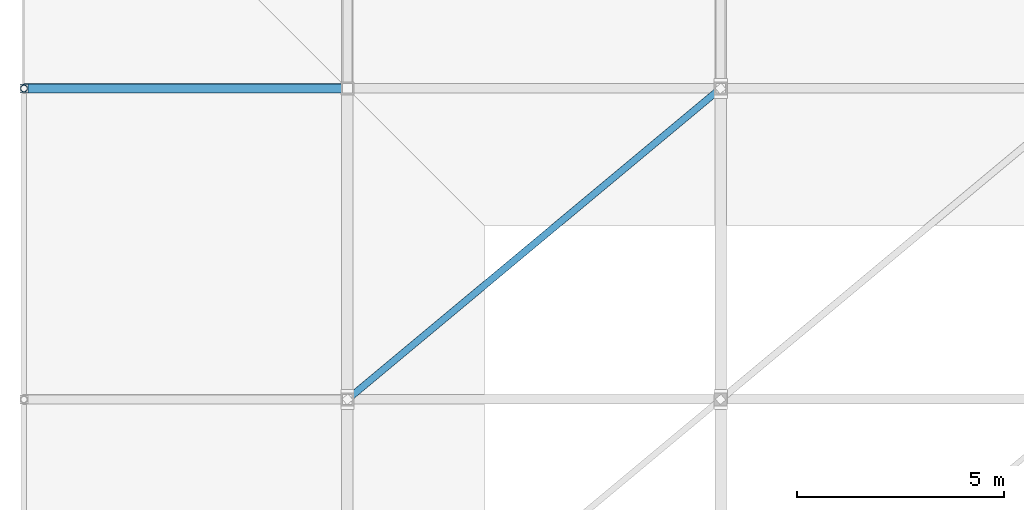
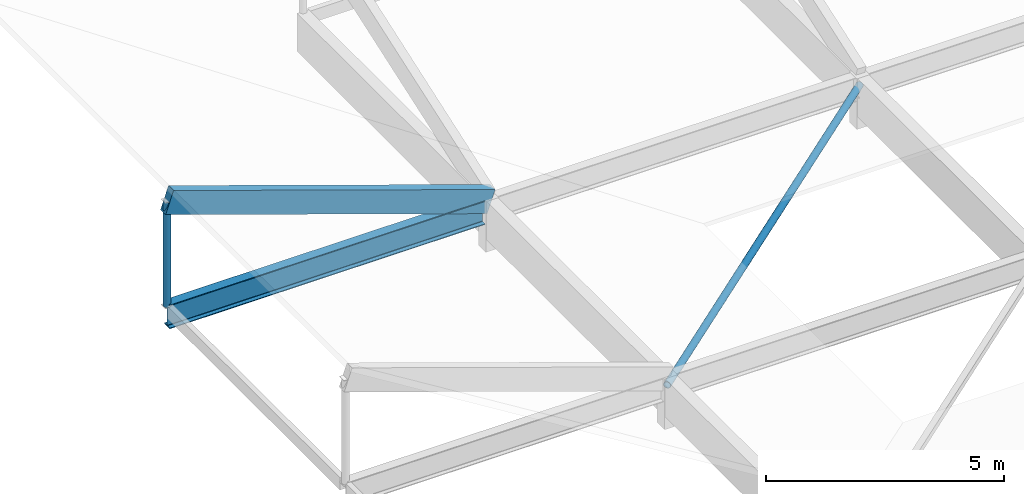
# One storey, part 7 of 19: 3 members, 1 beam.
"""IFC4 building model written with IfcOpenShell, lengths in metres."""

from ifc_helpers import new_model, si_unit, direction, frame, origin, origin_2d, place, context, subcontext, project, spatial, rectangle, hollow_circle, i_section, extrude, material, material_profile, profile_set, type_object, element, save


model = new_model("IFC4")

# Units and contexts
model_context = context("Model", 3, precision=1e-05, world=origin(), true_north=direction((0.0, 1.0)))
body_context = subcontext(model_context, "Body", "Model", "MODEL_VIEW")
ifc_project = project(units=[si_unit("LENGTHUNIT", "METRE"), si_unit("AREAUNIT", "SQUARE_METRE"), si_unit("VOLUMEUNIT", "CUBIC_METRE"), si_unit("PLANEANGLEUNIT", "RADIAN"), si_unit("MASSUNIT", "GRAM", prefix="KILO")], contexts=[model_context])

# Site, building, storey
site_placement = place(None, origin())
site = spatial("IfcSite", under=ifc_project, at=site_placement, CompositionType="ELEMENT")
building_placement = place(site_placement, origin())
building = spatial("IfcBuilding", under=site, at=building_placement, Name="Marnridge Secondary College", CompositionType="ELEMENT")
storey_placement = place(building_placement, frame((0.0, 0.0, 23.699951171875)))
storey = spatial("IfcBuildingStorey", under=building, at=storey_placement, Name="Roof Level", CompositionType="ELEMENT", Elevation=23.699951171875)

# Beam
ifc_material_1 = material(Name="Structural steel Grade 350 (AS/NZS 3679.1/.2, fy = 340-360 MPa)", Category="steel")
ifc_material_profile_1 = material_profile(ifc_material_1, i_section(OverallWidth=0.22900390625, OverallDepth=0.611572265625, WebThickness=0.011962890625, FlangeThickness=0.01953125, FilletRadius=0.013916015625, at=origin_2d()), Name="610UB125")
ifc_profile_set_1 = profile_set([ifc_material_profile_1], Name="Structural steel Grade 350 (AS/NZS 3679.1/.2, fy = 340-360 MPa)")
beam_type = type_object("IfcBeamType", Name="BM-UB610-EXT", PredefinedType="BEAM", material=ifc_profile_set_1)
beam_placement = place(storey_placement, frame((53.848388671875, 67.5, 0.994140625), z_axis=(-1.0, 0.0, 0.0), x_axis=(0.0, -1.0, 0.0)))
element("IfcBeam", 1, at=beam_placement, inside=storey, type_object=beam_type, Name="Beam BCAN-Roo-1484", PredefinedType="BEAM", context=body_context, shape_type="SweptSolid", body=[
    extrude(i_section(OverallWidth=0.22900390625, OverallDepth=0.611572265625, WebThickness=0.011962890625, FlangeThickness=0.01953125, FilletRadius=0.013916015625, at=origin_2d()), origin(), (0.0, 0.0, 1.0), 7.6484375),
])

# Members
ifc_material_2 = material(Name="Cold-formed steel Grade C350L0 (AS/NZS 1163, fy = 350 MPa)", Category="steel")
ifc_material_profile_2 = material_profile(ifc_material_2, hollow_circle(Radius=0.084228515625, WallThickness=0.00634765625, at=origin_2d()), Name="168.3x6.4CHS")
ifc_profile_set_2 = profile_set([ifc_material_profile_2], Name="Cold-formed steel Grade C350L0 (AS/NZS 1163, fy = 350 MPa)")
member_type_1 = type_object("IfcMemberType", Name="MB-BR-CHS168E", PredefinedType="BRACE", material=ifc_profile_set_2)
member_1_placement = place(storey_placement, frame((46.199951171875, 67.5, 1.219970703125), z_axis=(0.0, 0.0, 1.0), x_axis=(1.0, 0.0, 0.0)))
element("IfcMember", 2, at=member_1_placement, inside=storey, type_object=member_type_1, Name="Canopy eave web strut MCAN-015", PredefinedType="BRACE", context=body_context, shape_type="SweptSolid", body=[
    extrude(hollow_circle(Radius=0.084228515625, WallThickness=0.00634765625, at=origin_2d()), origin(), (0.0, 0.0, 1.0), 2.705078125),
])
member_2_placement = place(storey_placement, frame((54.0, 60.0, 1.0), z_axis=(0.768221279597, 0.640184399664, 0.0), x_axis=(-0.640184399664, 0.768221279597, 0.0)))
element("IfcMember", 3, at=member_2_placement, inside=storey, type_object=member_type_1, Name="Lateral brace BR-015", PredefinedType="BRACE", context=body_context, shape_type="SweptSolid", body=[
    extrude(hollow_circle(Radius=0.084228515625, WallThickness=0.00634765625, at=origin_2d()), origin(), (0.0, 0.0, 1.0), 11.71533203125),
])
ifc_material_3 = material(Name="Glulam timber GL18", Category="wood")
ifc_material_profile_3 = material_profile(ifc_material_3, rectangle(XDim=0.215087890625, YDim=0.5849609375, at=origin_2d()), Name="GL18 215x585")
ifc_profile_set_3 = profile_set([ifc_material_profile_3], Name="Glulam timber GL18")
member_type_2 = type_object("IfcMemberType", Name="MB-GS-GL585", PredefinedType="CHORD", material=ifc_profile_set_3)
member_3_placement = place(storey_placement, frame((54.0, 67.5, 1.219970703125), z_axis=(-0.944796411745, 0.0, 0.327657962444), x_axis=(0.0, -1.0, 0.0)))
element("IfcMember", 4, at=member_3_placement, inside=storey, type_object=member_type_2, Name="Canopy overhang truss chord MCR-015", PredefinedType="CHORD", context=body_context, shape_type="SweptSolid", body=[
    extrude(rectangle(XDim=0.215087890625, YDim=0.5849609375, at=origin_2d()), origin(), (0.0, 0.0, 1.0), 8.255859375),
])

save(model, "model.ifc")
